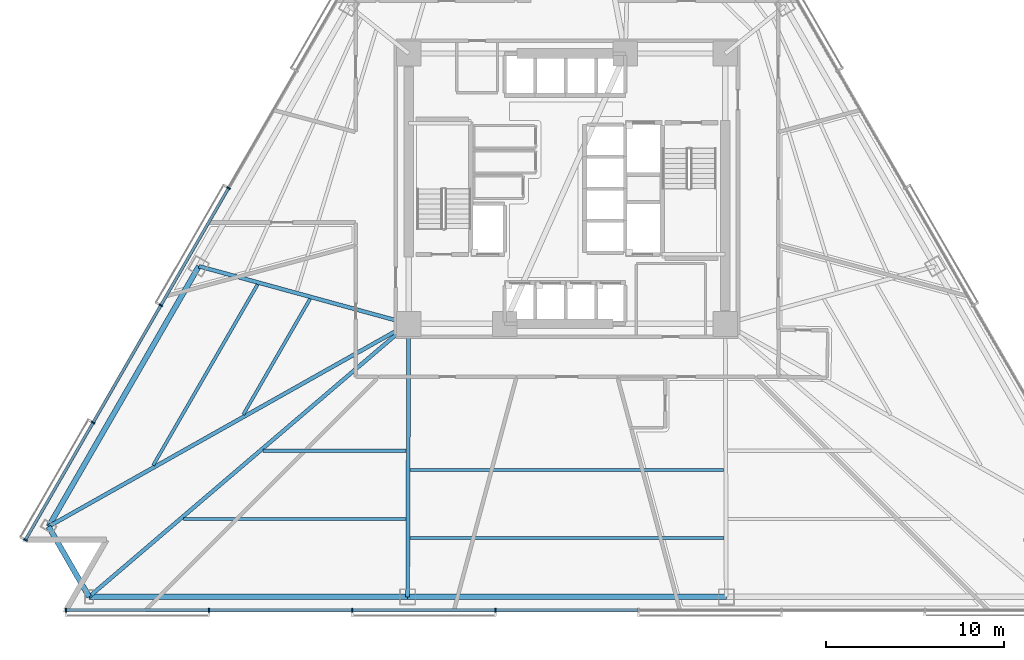
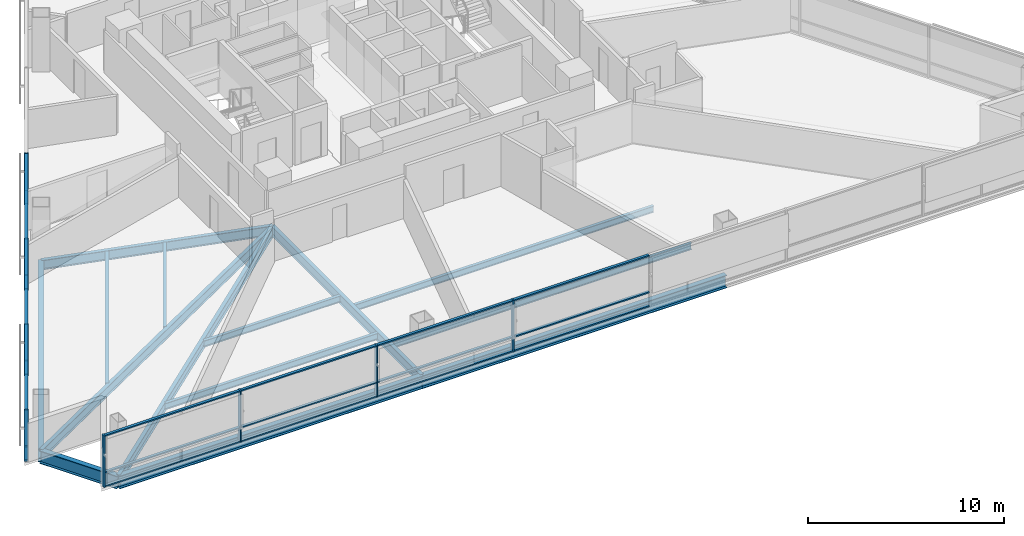
# One storey, part 2 of 16: 29 members, 14 beams, 2 elements without a shape of their own.
"""IFC4 building model written with IfcOpenShell, lengths in metres."""

import ifcopenshell
import ifcopenshell.guid

model = None  # the IFC model being written
_history = None  # IfcOwnerHistory: only IFC2X3 demands one
_inside = {}  # id of a spatial element -> (the spatial element, [elements in it])
_under = {}  # id of a project, library or spatial element -> (it, [spatial elements below it])
_declared = {}  # id of a project -> (the project, [libraries it declares])
_typed = {}  # id of a type object -> (the type object, [elements of that type])
_made_of = {}  # id of a material, layer set ... -> (it, [elements and type objects made of it])


def new_model(schema):
    """Start an empty IFC model of exactly this schema.

    Asked for "IFC4X3", IfcOpenShell would pick the latest addendum, in which some entities
    have other attributes; the version numbers below select the first issue.
    IFC2X3 requires an IfcOwnerHistory on every rooted entity: one is made here for all.
    """
    global model, _history
    if schema == "IFC4X3":
        model = ifcopenshell.file(schema_version=(4, 3, 0, 0))
    else:
        model = ifcopenshell.file(schema=schema)
    _inside.clear()
    _under.clear()
    _declared.clear()
    _typed.clear()
    _made_of.clear()
    _history = None
    if model.schema == "IFC2X3":
        org = make("IfcOrganization", Name="unknown")
        user = make(
            "IfcPersonAndOrganization",
            ThePerson=make("IfcPerson", FamilyName="unknown"),
            TheOrganization=org,
        )
        app = make(
            "IfcApplication",
            ApplicationDeveloper=org,
            Version="unknown",
            ApplicationFullName="unknown",
            ApplicationIdentifier="unknown",
        )
        _history = make(
            "IfcOwnerHistory",
            OwningUser=user,
            OwningApplication=app,
            ChangeAction="ADDED",
            CreationDate=0,
        )
    return model


def make(cls, **values):
    """One entity of the class cls with the attributes given. An attribute that is None is left unset."""
    return model.create_entity(
        cls, **{name: value for name, value in values.items() if value is not None}
    )


def rooted(cls, **values):
    """An entity with a GlobalId (a new one), such as an element, a storey or a relation."""
    return make(cls, GlobalId=ifcopenshell.guid.new(), OwnerHistory=_history, **values)


def si_unit(unit_type, name, prefix=None):
    """IfcSIUnit, for example si_unit("LENGTHUNIT", "METRE", prefix="MILLI")."""
    return make("IfcSIUnit", UnitType=unit_type, Prefix=prefix, Name=name)


def assignment(units):
    """IfcUnitAssignment: the units of a project."""
    return None if units is None else make("IfcUnitAssignment", Units=units)


def point(xyz):
    """IfcCartesianPoint."""
    return None if xyz is None else make("IfcCartesianPoint", Coordinates=xyz)


def direction(xyz):
    """IfcDirection."""
    return None if xyz is None else make("IfcDirection", DirectionRatios=xyz)


def frame(location, z_axis=None, x_axis=None):
    """IfcAxis2Placement3D, a coordinate frame: its origin and axes. An axis left out is left unset."""
    return make(
        "IfcAxis2Placement3D",
        Location=point(location),
        Axis=direction(z_axis),
        RefDirection=direction(x_axis),
    )


def frame_2d(location, x_axis=None):
    """IfcAxis2Placement2D, a coordinate frame in the plane: its origin and x axis."""
    return make(
        "IfcAxis2Placement2D", Location=point(location), RefDirection=direction(x_axis)
    )


def origin():
    """The frame at (0, 0, 0) with its axes left unset."""
    return frame((0.0, 0.0, 0.0))


def origin_2d():
    """The frame at (0, 0) in the plane with its x axis left unset."""
    return frame_2d((0.0, 0.0))


def place(relative_to, where):
    """IfcLocalPlacement: puts the frame where relative to a parent placement (None: the world)."""
    return make(
        "IfcLocalPlacement", PlacementRelTo=relative_to, RelativePlacement=where
    )


def context(
    kind, dimensions, precision=None, world=None, true_north=None, identifier=None
):
    """IfcGeometricRepresentationContext, for example the 3D "Model" context."""
    return make(
        "IfcGeometricRepresentationContext",
        ContextIdentifier=identifier,
        ContextType=kind,
        CoordinateSpaceDimension=dimensions,
        Precision=precision,
        WorldCoordinateSystem=world,
        TrueNorth=true_north,
    )


def subcontext(parent, identifier, kind, view, scale=None):
    """IfcGeometricRepresentationSubContext, for example "Body" below "Model"."""
    return make(
        "IfcGeometricRepresentationSubContext",
        ContextIdentifier=identifier,
        ContextType=kind,
        ParentContext=parent,
        TargetScale=scale,
        TargetView=view,
    )


def project(units=None, contexts=None):
    """IfcProject with its units and contexts."""
    return rooted(
        "IfcProject",
        Name="project",
        RepresentationContexts=contexts,
        UnitsInContext=assignment(units),
    )


def spatial(cls, under=None, at=None, **own):
    """A site, building, storey or space (cls), placed at a placement, below another one or the project."""
    s = rooted(cls, ObjectPlacement=at, **own)
    if under is not None:
        _under.setdefault(under.id(), (under, []))[1].append(s)
    return s


def profile(cls, at=None, kind="AREA", **sizes):
    """A parametric profile (cls). Its sizes go by their IFC names, for example OverallWidth=200.0."""
    return make(cls, ProfileType=kind, Position=at, **sizes)


def rectangle(**sizes):
    """IfcRectangleProfileDef."""
    return profile("IfcRectangleProfileDef", **sizes)


def i_section(**sizes):
    """IfcIShapeProfileDef."""
    return profile("IfcIShapeProfileDef", **sizes)


def extrude(swept, where, along, depth):
    """IfcExtrudedAreaSolid: the profile swept, set in the frame where, extruded along a direction by depth."""
    return make(
        "IfcExtrudedAreaSolid",
        SweptArea=swept,
        Position=where,
        ExtrudedDirection=direction(along),
        Depth=depth,
    )


def shape(context_of_items, identifier, shape_type, items):
    """IfcShapeRepresentation: the items that make up one representation, for example the "Body"."""
    return make(
        "IfcShapeRepresentation",
        ContextOfItems=context_of_items,
        RepresentationIdentifier=identifier,
        RepresentationType=shape_type,
        Items=items,
    )


def material(Name=None, Category=None):
    """IfcMaterial."""
    return make("IfcMaterial", Name=Name, Category=Category)


def layer(
    of_material, thickness, ventilated=None, Name=None, Category=None, Priority=None
):
    """IfcMaterialLayer: one layer of a wall or slab, of a material (None: an air gap)."""
    return make(
        "IfcMaterialLayer",
        Material=of_material,
        LayerThickness=thickness,
        IsVentilated=ventilated,
        Name=Name,
        Category=Category,
        Priority=Priority,
    )


def layer_set(layers, Name=None):
    """IfcMaterialLayerSet."""
    return make("IfcMaterialLayerSet", MaterialLayers=layers, LayerSetName=Name)


def material_profile(
    of_material, cross_section, Name=None, Category=None, Priority=None
):
    """IfcMaterialProfile: a cross section and its material."""
    return make(
        "IfcMaterialProfile",
        Name=Name,
        Material=of_material,
        Profile=cross_section,
        Priority=Priority,
        Category=Category,
    )


def profile_set(profiles, Name=None, composite=None):
    """IfcMaterialProfileSet."""
    return make(
        "IfcMaterialProfileSet",
        Name=Name,
        MaterialProfiles=profiles,
        CompositeProfile=composite,
    )


def made_of(thing, what):
    """Note that an element or type object is made of a material, layer set ...; save() writes the relation."""
    if what is not None:
        _made_of.setdefault(what.id(), (what, []))[1].append(thing)
    return thing


def type_object(cls, material=None, **own):
    """A type object (cls), such as IfcWallType, which elements share."""
    return made_of(rooted(cls, **own), material)


def element(
    cls,
    number,
    at=None,
    inside=None,
    cuts=None,
    type_object=None,
    material=None,
    context=None,
    identifier="Body",
    shape_type=None,
    held_by="IfcProductDefinitionShape",
    body=None,
    shapes=None,
    **own,
):
    """One element of the class cls, such as IfcWall. Its Tag is "e" and its number.

    at: its placement. inside: the storey or other place that contains it. cuts: it is an
    opening in that element (IfcRelVoidsElement). A single representation is given by context,
    identifier, shape_type and body (its items); several are given by shapes. held_by: the class
    of the entity that holds the representations. save() writes the other relations.
    """
    e = rooted(cls, Tag="e%d" % number, ObjectPlacement=at, **own)
    if body is not None:
        shapes = [shape(context, identifier, shape_type, body)]
    if shapes is not None:
        e.Representation = make(held_by, Representations=shapes)
    if inside is not None:
        _inside.setdefault(inside.id(), (inside, []))[1].append(e)
    if cuts is not None:
        rooted(
            "IfcRelVoidsElement", RelatingBuildingElement=cuts, RelatedOpeningElement=e
        )
    if type_object is not None:
        _typed.setdefault(type_object.id(), (type_object, []))[1].append(e)
    return made_of(e, material)


def aggregate(whole, parts):
    """IfcRelAggregates: a whole, such as a stair, and the parts it consists of."""
    return rooted("IfcRelAggregates", RelatingObject=whole, RelatedObjects=parts)


def save(model, path):
    """Write the relations noted so far, then the file.

    IfcRelAggregates (storeys below a building ...), IfcRelContainedInSpatialStructure (elements
    in a storey), IfcRelDefinesByType, IfcRelAssociatesMaterial and IfcRelDeclares: one each for
    every whole, place, type object, material and project.
    """
    for whole, parts in _under.values():
        aggregate(whole, parts)
    for where, things in _inside.values():
        rooted(
            "IfcRelContainedInSpatialStructure",
            RelatedElements=things,
            RelatingStructure=where,
        )
    for kind, things in _typed.values():
        rooted("IfcRelDefinesByType", RelatedObjects=things, RelatingType=kind)
    for what, things in _made_of.values():
        rooted("IfcRelAssociatesMaterial", RelatedObjects=things, RelatingMaterial=what)
    for by, libraries in _declared.values():
        rooted("IfcRelDeclares", RelatingContext=by, RelatedDefinitions=libraries)
    model.write(path)


model = new_model("IFC4")

# Units and contexts
model_context = context("Model", 3, precision=1e-05, world=origin(), true_north=direction((0.0, 1.0)))
body_context = subcontext(model_context, "Body", "Model", "MODEL_VIEW")
ifc_project = project(units=[si_unit("LENGTHUNIT", "METRE"), si_unit("AREAUNIT", "SQUARE_METRE"), si_unit("VOLUMEUNIT", "CUBIC_METRE"), si_unit("PLANEANGLEUNIT", "RADIAN"), si_unit("MASSUNIT", "GRAM", prefix="KILO")], contexts=[model_context])

# Site, building, storey
site_placement = place(None, origin())
site = spatial("IfcSite", under=ifc_project, at=site_placement, CompositionType="ELEMENT")
building_placement = place(site_placement, origin())
building = spatial("IfcBuilding", under=site, at=building_placement, Name="Tharavind Bronze Gate", CompositionType="ELEMENT")
storey_placement = place(building_placement, frame((0.0, 0.0, 48.85009765625)))
storey = spatial("IfcBuildingStorey", under=building, at=storey_placement, Name="L11", CompositionType="ELEMENT", Elevation=48.85009765625)

# Curtain wall, members
ifc_material_1 = material(Name="Anodised Bronze Aluminium", Category="aluminium")
ifc_layer = layer(ifc_material_1, 0.219970703125)
ifc_layer_set = layer_set([ifc_layer], Name="Anodised Bronze Aluminium")
curtain_wall_type = type_object("IfcCurtainWallType", Name="UNITISED CURTAIN WALL HOTEL", PredefinedType="USERDEFINED", material=ifc_layer_set)
curtain_wall_1_placement = place(storey_placement, origin())
curtain_wall_1 = element("IfcCurtainWall", 1, at=curtain_wall_1_placement, inside=storey, type_object=curtain_wall_type, Name="L11 unitised curtain wall hotel CW-L11-S1", ObjectType="UNITISED CURTAIN WALL", PredefinedType="USERDEFINED")
member_type_1 = type_object("IfcMemberType", Name="CURTAIN WALL MULLION 80X220", PredefinedType="MULLION", material=ifc_material_1)
member_1_placement = place(storey_placement, frame((-19.031982421875, 0.035888671875, -0.000244140625), z_axis=(0.0, 0.0, 1.0), x_axis=(-0.500001511499, -0.866024531118, 0.0)))
member_1 = element("IfcMember", 2, at=member_1_placement, type_object=member_type_1, Name="CW-L11-S1 mullion 5", PredefinedType="MULLION", context=body_context, shape_type="SweptSolid", body=[
    extrude(rectangle(XDim=0.080078125, YDim=0.219970703125, at=origin_2d()), origin(), (0.0, 0.0, 1.0), 3.22509765625),
])
member_2_placement = place(storey_placement, frame((-22.83984375, -6.559814453125, -0.000244140625), z_axis=(0.0, 0.0, 1.0), x_axis=(-0.500001511499, -0.866024531118, 0.0)))
member_2 = element("IfcMember", 3, at=member_2_placement, type_object=member_type_1, Name="CW-L11-S1 mullion 6", PredefinedType="MULLION", context=body_context, shape_type="SweptSolid", body=[
    extrude(rectangle(XDim=0.080078125, YDim=0.219970703125, at=origin_2d()), origin(), (0.0, 0.0, 1.0), 3.22509765625),
])
member_3_placement = place(storey_placement, frame((-26.647705078125, -13.1552734375, -0.000244140625), z_axis=(0.0, 0.0, 1.0), x_axis=(-0.500001511499, -0.866024531118, 0.0)))
member_3 = element("IfcMember", 4, at=member_3_placement, type_object=member_type_1, Name="CW-L11-S1 mullion 7", PredefinedType="MULLION", context=body_context, shape_type="SweptSolid", body=[
    extrude(rectangle(XDim=0.080078125, YDim=0.219970703125, at=origin_2d()), origin(), (0.0, 0.0, 1.0), 3.22509765625),
])
member_4_placement = place(storey_placement, frame((-30.455810546875, -19.7509765625, -0.000244140625), z_axis=(0.0, 0.0, 1.0), x_axis=(-0.500001511499, -0.866024531118, 0.0)))
member_4 = element("IfcMember", 5, at=member_4_placement, type_object=member_type_1, Name="CW-L11-S1 mullion 8", PredefinedType="MULLION", context=body_context, shape_type="SweptSolid", body=[
    extrude(rectangle(XDim=0.080078125, YDim=0.219970703125, at=origin_2d()), origin(), (0.0, 0.0, 1.0), 3.22509765625),
])

curtain_wall_2_placement = place(storey_placement, origin())
curtain_wall_2 = element("IfcCurtainWall", 6, at=curtain_wall_2_placement, inside=storey, type_object=curtain_wall_type, Name="L11 unitised curtain wall hotel CW-L11-S2", ObjectType="UNITISED CURTAIN WALL", PredefinedType="USERDEFINED")
member_5_placement = place(storey_placement, frame((-28.17578125, -23.699951171875, -0.000244140625), z_axis=(0.0, 0.0, 1.0), x_axis=(1.0, 0.0, 0.0)))
member_5 = element("IfcMember", 7, at=member_5_placement, type_object=member_type_1, Name="CW-L11-S2 mullion 1", PredefinedType="MULLION", context=body_context, shape_type="SweptSolid", body=[
    extrude(rectangle(XDim=0.080078125, YDim=0.219970703125, at=origin_2d()), origin(), (0.0, 0.0, 1.0), 3.22509765625),
])
member_6_placement = place(storey_placement, frame((-20.12548828125, -23.699951171875, -0.000244140625), z_axis=(0.0, 0.0, 1.0), x_axis=(1.0, 0.0, 0.0)))
member_6 = element("IfcMember", 8, at=member_6_placement, type_object=member_type_1, Name="CW-L11-S2 mullion 2", PredefinedType="MULLION", context=body_context, shape_type="SweptSolid", body=[
    extrude(rectangle(XDim=0.080078125, YDim=0.219970703125, at=origin_2d()), origin(), (0.0, 0.0, 1.0), 3.22509765625),
])
member_7_placement = place(storey_placement, frame((-12.0751953125, -23.699951171875, -0.000244140625), z_axis=(0.0, 0.0, 1.0), x_axis=(1.0, 0.0, 0.0)))
member_7 = element("IfcMember", 9, at=member_7_placement, type_object=member_type_1, Name="CW-L11-S2 mullion 3", PredefinedType="MULLION", context=body_context, shape_type="SweptSolid", body=[
    extrude(rectangle(XDim=0.080078125, YDim=0.219970703125, at=origin_2d()), origin(), (0.0, 0.0, 1.0), 3.22509765625),
])
member_8_placement = place(storey_placement, frame((-4.025146484375, -23.699951171875, -0.000244140625), z_axis=(0.0, 0.0, 1.0), x_axis=(1.0, 0.0, 0.0)))
member_8 = element("IfcMember", 10, at=member_8_placement, type_object=member_type_1, Name="CW-L11-S2 mullion 4", PredefinedType="MULLION", context=body_context, shape_type="SweptSolid", body=[
    extrude(rectangle(XDim=0.080078125, YDim=0.219970703125, at=origin_2d()), origin(), (0.0, 0.0, 1.0), 3.22509765625),
])

# Member
member_type_2 = type_object("IfcMemberType", Name="CURTAIN WALL TRANSOM 80X160", PredefinedType="USERDEFINED", material=ifc_material_1)
member_9_placement = place(storey_placement, frame((-20.935791015625, -3.261962890625, -0.000244140625), z_axis=(0.0, 0.0, 1.0), x_axis=(-0.500001511499, -0.866024531118, 0.0)))
member_9 = element("IfcMember", 11, at=member_9_placement, type_object=member_type_2, Name="CW-L11-S1 transom TB5", ObjectType="TRANSOM", PredefinedType="USERDEFINED", context=body_context, shape_type="SweptSolid", body=[
    extrude(rectangle(XDim=7.5478515625, YDim=0.159912109375, at=origin_2d()), origin(), (0.0, 0.0, 1.0), 0.080078125),
])

member_10_placement = place(storey_placement, frame((-20.935791015625, -3.261962890625, 0.85986328125), z_axis=(0.0, 0.0, 1.0), x_axis=(-0.500001511499, -0.866024531118, 0.0)))
member_10 = element("IfcMember", 12, at=member_10_placement, type_object=member_type_2, Name="CW-L11-S1 transom TS5", ObjectType="TRANSOM", PredefinedType="USERDEFINED", context=body_context, shape_type="SweptSolid", body=[
    extrude(rectangle(XDim=7.5478515625, YDim=0.159912109375, at=origin_2d()), origin(), (0.0, 0.0, 1.0), 0.080078125),
])

member_11_placement = place(storey_placement, frame((-20.935791015625, -3.261962890625, 3.144775390625), z_axis=(0.0, 0.0, 1.0), x_axis=(-0.500001511499, -0.866024531118, 0.0)))
member_11 = element("IfcMember", 13, at=member_11_placement, type_object=member_type_2, Name="CW-L11-S1 transom TT5", ObjectType="TRANSOM", PredefinedType="USERDEFINED", context=body_context, shape_type="SweptSolid", body=[
    extrude(rectangle(XDim=7.5478515625, YDim=0.159912109375, at=origin_2d()), origin(), (0.0, 0.0, 1.0), 0.080078125),
])

member_12_placement = place(storey_placement, frame((-24.743896484375, -9.857421875, -0.000244140625), z_axis=(0.0, 0.0, 1.0), x_axis=(-0.500001511499, -0.866024531118, 0.0)))
member_12 = element("IfcMember", 14, at=member_12_placement, type_object=member_type_2, Name="CW-L11-S1 transom TB6", ObjectType="TRANSOM", PredefinedType="USERDEFINED", context=body_context, shape_type="SweptSolid", body=[
    extrude(rectangle(XDim=7.5478515625, YDim=0.159912109375, at=origin_2d()), origin(), (0.0, 0.0, 1.0), 0.080078125),
])

member_13_placement = place(storey_placement, frame((-24.743896484375, -9.857421875, 0.85986328125), z_axis=(0.0, 0.0, 1.0), x_axis=(-0.500001511499, -0.866024531118, 0.0)))
member_13 = element("IfcMember", 15, at=member_13_placement, type_object=member_type_2, Name="CW-L11-S1 transom TS6", ObjectType="TRANSOM", PredefinedType="USERDEFINED", context=body_context, shape_type="SweptSolid", body=[
    extrude(rectangle(XDim=7.5478515625, YDim=0.159912109375, at=origin_2d()), origin(), (0.0, 0.0, 1.0), 0.080078125),
])

member_14_placement = place(storey_placement, frame((-24.743896484375, -9.857421875, 3.144775390625), z_axis=(0.0, 0.0, 1.0), x_axis=(-0.500001511499, -0.866024531118, 0.0)))
member_14 = element("IfcMember", 16, at=member_14_placement, type_object=member_type_2, Name="CW-L11-S1 transom TT6", ObjectType="TRANSOM", PredefinedType="USERDEFINED", context=body_context, shape_type="SweptSolid", body=[
    extrude(rectangle(XDim=7.5478515625, YDim=0.159912109375, at=origin_2d()), origin(), (0.0, 0.0, 1.0), 0.080078125),
])

member_15_placement = place(storey_placement, frame((-28.5517578125, -16.453125, -0.000244140625), z_axis=(0.0, 0.0, 1.0), x_axis=(-0.500001511499, -0.866024531118, 0.0)))
member_15 = element("IfcMember", 17, at=member_15_placement, type_object=member_type_2, Name="CW-L11-S1 transom TB7", ObjectType="TRANSOM", PredefinedType="USERDEFINED", context=body_context, shape_type="SweptSolid", body=[
    extrude(rectangle(XDim=7.5478515625, YDim=0.159912109375, at=origin_2d()), origin(), (0.0, 0.0, 1.0), 0.080078125),
])

member_16_placement = place(storey_placement, frame((-28.5517578125, -16.453125, 0.85986328125), z_axis=(0.0, 0.0, 1.0), x_axis=(-0.500001511499, -0.866024531118, 0.0)))
member_16 = element("IfcMember", 18, at=member_16_placement, type_object=member_type_2, Name="CW-L11-S1 transom TS7", ObjectType="TRANSOM", PredefinedType="USERDEFINED", context=body_context, shape_type="SweptSolid", body=[
    extrude(rectangle(XDim=7.5478515625, YDim=0.159912109375, at=origin_2d()), origin(), (0.0, 0.0, 1.0), 0.080078125),
])

member_17_placement = place(storey_placement, frame((-28.5517578125, -16.453125, 3.144775390625), z_axis=(0.0, 0.0, 1.0), x_axis=(-0.500001511499, -0.866024531118, 0.0)))
member_17 = element("IfcMember", 19, at=member_17_placement, type_object=member_type_2, Name="CW-L11-S1 transom TT7", ObjectType="TRANSOM", PredefinedType="USERDEFINED", context=body_context, shape_type="SweptSolid", body=[
    extrude(rectangle(XDim=7.5478515625, YDim=0.159912109375, at=origin_2d()), origin(), (0.0, 0.0, 1.0), 0.080078125),
])

aggregate(curtain_wall_1, [member_1, member_2, member_3, member_4, member_9, member_10, member_11, member_12, member_13, member_14, member_15, member_16, member_17])

member_18_placement = place(storey_placement, frame((-24.150634765625, -23.699951171875, -0.000244140625), z_axis=(0.0, 0.0, 1.0), x_axis=(1.0, 0.0, 0.0)))
member_18 = element("IfcMember", 20, at=member_18_placement, type_object=member_type_2, Name="CW-L11-S2 transom TB1", ObjectType="TRANSOM", PredefinedType="USERDEFINED", context=body_context, shape_type="SweptSolid", body=[
    extrude(rectangle(XDim=7.982177734375, YDim=0.159912109375, at=origin_2d()), origin(), (0.0, 0.0, 1.0), 0.080078125),
])

member_19_placement = place(storey_placement, frame((-24.150634765625, -23.699951171875, 0.85986328125), z_axis=(0.0, 0.0, 1.0), x_axis=(1.0, 0.0, 0.0)))
member_19 = element("IfcMember", 21, at=member_19_placement, type_object=member_type_2, Name="CW-L11-S2 transom TS1", ObjectType="TRANSOM", PredefinedType="USERDEFINED", context=body_context, shape_type="SweptSolid", body=[
    extrude(rectangle(XDim=7.982177734375, YDim=0.159912109375, at=origin_2d()), origin(), (0.0, 0.0, 1.0), 0.080078125),
])

member_20_placement = place(storey_placement, frame((-24.150634765625, -23.699951171875, 3.144775390625), z_axis=(0.0, 0.0, 1.0), x_axis=(1.0, 0.0, 0.0)))
member_20 = element("IfcMember", 22, at=member_20_placement, type_object=member_type_2, Name="CW-L11-S2 transom TT1", ObjectType="TRANSOM", PredefinedType="USERDEFINED", context=body_context, shape_type="SweptSolid", body=[
    extrude(rectangle(XDim=7.982177734375, YDim=0.159912109375, at=origin_2d()), origin(), (0.0, 0.0, 1.0), 0.080078125),
])

member_21_placement = place(storey_placement, frame((-16.1005859375, -23.699951171875, -0.000244140625), z_axis=(0.0, 0.0, 1.0), x_axis=(1.0, 0.0, 0.0)))
member_21 = element("IfcMember", 23, at=member_21_placement, type_object=member_type_2, Name="CW-L11-S2 transom TB2", ObjectType="TRANSOM", PredefinedType="USERDEFINED", context=body_context, shape_type="SweptSolid", body=[
    extrude(rectangle(XDim=7.982177734375, YDim=0.159912109375, at=origin_2d()), origin(), (0.0, 0.0, 1.0), 0.080078125),
])

member_22_placement = place(storey_placement, frame((-16.1005859375, -23.699951171875, 0.85986328125), z_axis=(0.0, 0.0, 1.0), x_axis=(1.0, 0.0, 0.0)))
member_22 = element("IfcMember", 24, at=member_22_placement, type_object=member_type_2, Name="CW-L11-S2 transom TS2", ObjectType="TRANSOM", PredefinedType="USERDEFINED", context=body_context, shape_type="SweptSolid", body=[
    extrude(rectangle(XDim=7.982177734375, YDim=0.159912109375, at=origin_2d()), origin(), (0.0, 0.0, 1.0), 0.080078125),
])

member_23_placement = place(storey_placement, frame((-16.1005859375, -23.699951171875, 3.144775390625), z_axis=(0.0, 0.0, 1.0), x_axis=(1.0, 0.0, 0.0)))
member_23 = element("IfcMember", 25, at=member_23_placement, type_object=member_type_2, Name="CW-L11-S2 transom TT2", ObjectType="TRANSOM", PredefinedType="USERDEFINED", context=body_context, shape_type="SweptSolid", body=[
    extrude(rectangle(XDim=7.982177734375, YDim=0.159912109375, at=origin_2d()), origin(), (0.0, 0.0, 1.0), 0.080078125),
])

member_24_placement = place(storey_placement, frame((-8.05029296875, -23.699951171875, -0.000244140625), z_axis=(0.0, 0.0, 1.0), x_axis=(1.0, 0.0, 0.0)))
member_24 = element("IfcMember", 26, at=member_24_placement, type_object=member_type_2, Name="CW-L11-S2 transom TB3", ObjectType="TRANSOM", PredefinedType="USERDEFINED", context=body_context, shape_type="SweptSolid", body=[
    extrude(rectangle(XDim=7.982177734375, YDim=0.159912109375, at=origin_2d()), origin(), (0.0, 0.0, 1.0), 0.080078125),
])

member_25_placement = place(storey_placement, frame((-8.05029296875, -23.699951171875, 0.85986328125), z_axis=(0.0, 0.0, 1.0), x_axis=(1.0, 0.0, 0.0)))
member_25 = element("IfcMember", 27, at=member_25_placement, type_object=member_type_2, Name="CW-L11-S2 transom TS3", ObjectType="TRANSOM", PredefinedType="USERDEFINED", context=body_context, shape_type="SweptSolid", body=[
    extrude(rectangle(XDim=7.982177734375, YDim=0.159912109375, at=origin_2d()), origin(), (0.0, 0.0, 1.0), 0.080078125),
])

member_26_placement = place(storey_placement, frame((-8.05029296875, -23.699951171875, 3.144775390625), z_axis=(0.0, 0.0, 1.0), x_axis=(1.0, 0.0, 0.0)))
member_26 = element("IfcMember", 28, at=member_26_placement, type_object=member_type_2, Name="CW-L11-S2 transom TT3", ObjectType="TRANSOM", PredefinedType="USERDEFINED", context=body_context, shape_type="SweptSolid", body=[
    extrude(rectangle(XDim=7.982177734375, YDim=0.159912109375, at=origin_2d()), origin(), (0.0, 0.0, 1.0), 0.080078125),
])

member_27_placement = place(storey_placement, frame((0.0, -23.699951171875, -0.000244140625), z_axis=(0.0, 0.0, 1.0), x_axis=(1.0, 0.0, 0.0)))
member_27 = element("IfcMember", 29, at=member_27_placement, type_object=member_type_2, Name="CW-L11-S2 transom TB4", ObjectType="TRANSOM", PredefinedType="USERDEFINED", context=body_context, shape_type="SweptSolid", body=[
    extrude(rectangle(XDim=7.982177734375, YDim=0.159912109375, at=origin_2d()), origin(), (0.0, 0.0, 1.0), 0.080078125),
])

member_28_placement = place(storey_placement, frame((0.0, -23.699951171875, 0.85986328125), z_axis=(0.0, 0.0, 1.0), x_axis=(1.0, 0.0, 0.0)))
member_28 = element("IfcMember", 30, at=member_28_placement, type_object=member_type_2, Name="CW-L11-S2 transom TS4", ObjectType="TRANSOM", PredefinedType="USERDEFINED", context=body_context, shape_type="SweptSolid", body=[
    extrude(rectangle(XDim=7.982177734375, YDim=0.159912109375, at=origin_2d()), origin(), (0.0, 0.0, 1.0), 0.080078125),
])

member_29_placement = place(storey_placement, frame((0.0, -23.699951171875, 3.144775390625), z_axis=(0.0, 0.0, 1.0), x_axis=(1.0, 0.0, 0.0)))
member_29 = element("IfcMember", 31, at=member_29_placement, type_object=member_type_2, Name="CW-L11-S2 transom TT4", ObjectType="TRANSOM", PredefinedType="USERDEFINED", context=body_context, shape_type="SweptSolid", body=[
    extrude(rectangle(XDim=7.982177734375, YDim=0.159912109375, at=origin_2d()), origin(), (0.0, 0.0, 1.0), 0.080078125),
])

aggregate(curtain_wall_2, [member_5, member_6, member_7, member_8, member_18, member_19, member_20, member_21, member_22, member_23, member_24, member_25, member_26, member_27, member_28, member_29])

# Beams
ifc_material_2 = material(Name="Steel S355", Category="steel")
ifc_material_profile_1 = material_profile(ifc_material_2, i_section(OverallWidth=0.219970703125, OverallDepth=0.60009765625, WebThickness=0.011962890625, FlangeThickness=0.01904296875, at=origin_2d()), Name="IPE600")
ifc_profile_set_1 = profile_set([ifc_material_profile_1], Name="Steel S355")
beam_type_1 = type_object("IfcBeamType", Name="PRIMARY GIRDER IPE600", PredefinedType="USERDEFINED", material=ifc_profile_set_1)
beam_1_placement = place(storey_placement, frame((-20.70458984375, -4.361083984375, -0.47509765625), z_axis=(0.96435718827, -0.264603880228, 0.0), x_axis=(0.264603880228, 0.96435718827, 0.0)))
element("IfcBeam", 32, at=beam_1_placement, inside=storey, type_object=beam_type_1, Name="L11 primary girder ipe600 BM-L11-RAD03", ObjectType="GIRDER", PredefinedType="USERDEFINED", context=body_context, shape_type="SweptSolid", body=[
    extrude(i_section(OverallWidth=0.219970703125, OverallDepth=0.60009765625, WebThickness=0.011962890625, FlangeThickness=0.01904296875, at=origin_2d()), origin(), (0.0, 0.0, 1.0), 12.240966796875),
])
beam_2_placement = place(storey_placement, frame((-29.15673828125, -19.0009765625, -0.47509765625), z_axis=(0.871457703454, 0.490470662824, 0.0), x_axis=(-0.490470662824, 0.871457703454, 0.0)))
element("IfcBeam", 33, at=beam_2_placement, inside=storey, type_object=beam_type_1, Name="L11 primary girder ipe600 BM-L11-RAD04", ObjectType="GIRDER", PredefinedType="USERDEFINED", context=body_context, shape_type="SweptSolid", body=[
    extrude(i_section(OverallWidth=0.219970703125, OverallDepth=0.60009765625, WebThickness=0.011962890625, FlangeThickness=0.01904296875, at=origin_2d()), origin(), (0.0, 0.0, 1.0), 23.244873046875),
])
beam_3_placement = place(storey_placement, frame((-26.876708984375, -22.949951171875, -0.47509765625), z_axis=(0.76048513475, 0.649355341723, 0.0), x_axis=(-0.649355341723, 0.76048513475, 0.0)))
element("IfcBeam", 34, at=beam_3_placement, inside=storey, type_object=beam_type_1, Name="L11 primary girder ipe600 BM-L11-RAD05", ObjectType="GIRDER", PredefinedType="USERDEFINED", context=body_context, shape_type="SweptSolid", body=[
    extrude(i_section(OverallWidth=0.219970703125, OverallDepth=0.60009765625, WebThickness=0.011962890625, FlangeThickness=0.01904296875, at=origin_2d()), origin(), (0.0, 0.0, 1.0), 23.638671875),
])
beam_4_placement = place(storey_placement, frame((-8.958984375, -22.949951171875, -0.47509765625), z_axis=(0.003849000484, 0.99999259257, 0.0), x_axis=(-0.99999259257, 0.003849000484, 0.0)))
element("IfcBeam", 35, at=beam_4_placement, inside=storey, type_object=beam_type_1, Name="L11 primary girder ipe600 BM-L11-RAD06", ObjectType="GIRDER", PredefinedType="USERDEFINED", context=body_context, shape_type="SweptSolid", body=[
    extrude(i_section(OverallWidth=0.219970703125, OverallDepth=0.60009765625, WebThickness=0.011962890625, FlangeThickness=0.01904296875, at=origin_2d()), origin(), (0.0, 0.0, 1.0), 15.349853515625),
])
ifc_material_profile_2 = material_profile(ifc_material_2, i_section(OverallWidth=0.300048828125, OverallDepth=0.800048828125, WebThickness=0.017578125, FlangeThickness=0.032958984375, at=origin_2d()), Name="HE800B")
ifc_profile_set_2 = profile_set([ifc_material_profile_2], Name="Steel S355")
beam_type_2 = type_object("IfcBeamType", Name="RING GIRDER HE800B", PredefinedType="USERDEFINED", material=ifc_profile_set_2)
beam_5_placement = place(storey_placement, frame((-20.70458984375, -4.361083984375, -0.5751953125), z_axis=(-0.4999912383, -0.866030462295, 0.0), x_axis=(0.866030462295, -0.4999912383, 0.0)))
element("IfcBeam", 36, at=beam_5_placement, inside=storey, type_object=beam_type_2, Name="L11 ring girder he800b BM-L11-PRG03", ObjectType="GIRDER", PredefinedType="USERDEFINED", context=body_context, shape_type="SweptSolid", body=[
    extrude(i_section(OverallWidth=0.300048828125, OverallDepth=0.800048828125, WebThickness=0.017578125, FlangeThickness=0.032958984375, at=origin_2d()), origin(), (0.0, 0.0, 1.0), 16.904541015625),
])
beam_6_placement = place(storey_placement, frame((-29.15673828125, -19.0009765625, -0.5751953125), z_axis=(0.500014431597, -0.866017071537, 0.0), x_axis=(0.866017071537, 0.500014431597, 0.0)))
element("IfcBeam", 37, at=beam_6_placement, inside=storey, type_object=beam_type_2, Name="L11 ring girder he800b BM-L11-PRG04", ObjectType="GIRDER", PredefinedType="USERDEFINED", context=body_context, shape_type="SweptSolid", body=[
    extrude(i_section(OverallWidth=0.300048828125, OverallDepth=0.800048828125, WebThickness=0.017578125, FlangeThickness=0.032958984375, at=origin_2d()), origin(), (0.0, 0.0, 1.0), 4.559814453125),
])
beam_7_placement = place(storey_placement, frame((-26.876708984375, -22.949951171875, -0.5751953125), z_axis=(1.0, 0.0, 0.0), x_axis=(0.0, 1.0, 0.0)))
element("IfcBeam", 38, at=beam_7_placement, inside=storey, type_object=beam_type_2, Name="L11 ring girder he800b BM-L11-PRG05", ObjectType="GIRDER", PredefinedType="USERDEFINED", context=body_context, shape_type="SweptSolid", body=[
    extrude(i_section(OverallWidth=0.300048828125, OverallDepth=0.800048828125, WebThickness=0.017578125, FlangeThickness=0.032958984375, at=origin_2d()), origin(), (0.0, 0.0, 1.0), 17.917724609375),
])
beam_8_placement = place(storey_placement, frame((-8.958984375, -22.949951171875, -0.5751953125), z_axis=(1.0, 0.0, 0.0), x_axis=(0.0, 1.0, 0.0)))
element("IfcBeam", 39, at=beam_8_placement, inside=storey, type_object=beam_type_2, Name="L11 ring girder he800b BM-L11-PRG06", ObjectType="GIRDER", PredefinedType="USERDEFINED", context=body_context, shape_type="SweptSolid", body=[
    extrude(i_section(OverallWidth=0.300048828125, OverallDepth=0.800048828125, WebThickness=0.017578125, FlangeThickness=0.032958984375, at=origin_2d()), origin(), (0.0, 0.0, 1.0), 17.91796875),
])
ifc_material_profile_3 = material_profile(ifc_material_2, i_section(OverallWidth=0.179931640625, OverallDepth=0.39990234375, WebThickness=0.008544921875, FlangeThickness=0.013427734375, at=origin_2d()), Name="IPE400")
ifc_profile_set_3 = profile_set([ifc_material_profile_3], Name="Steel S355")
beam_type_3 = type_object("IfcBeamType", Name="SECONDARY FLOOR JOIST IPE400", PredefinedType="JOIST", material=ifc_profile_set_3)
beam_9_placement = place(storey_placement, frame((-14.447998046875, -6.19580078125, -0.375), z_axis=(-0.499995879736, -0.866027782607, 0.0), x_axis=(0.866027782607, -0.499995879736, 0.0)))
element("IfcBeam", 40, at=beam_9_placement, inside=storey, type_object=beam_type_3, Name="L11 secondary floor joist ipe400 BM-L11-JSTA03", PredefinedType="JOIST", context=body_context, shape_type="SweptSolid", body=[
    extrude(i_section(OverallWidth=0.179931640625, OverallDepth=0.39990234375, WebThickness=0.008544921875, FlangeThickness=0.013427734375, at=origin_2d()), origin(), (0.0, 0.0, 1.0), 7.52294921875),
])
beam_10_placement = place(storey_placement, frame((-17.399169921875, -5.38623046875, -0.375), z_axis=(-0.499996459651, -0.866027447796, 0.0), x_axis=(0.866027447796, -0.499996459651, 0.0)))
element("IfcBeam", 41, at=beam_10_placement, inside=storey, type_object=beam_type_3, Name="L11 secondary floor joist ipe400 BM-L11-JSTB03", PredefinedType="JOIST", context=body_context, shape_type="SweptSolid", body=[
    extrude(i_section(OverallWidth=0.179931640625, OverallDepth=0.39990234375, WebThickness=0.008544921875, FlangeThickness=0.013427734375, at=origin_2d()), origin(), (0.0, 0.0, 1.0), 11.7490234375),
])
beam_11_placement = place(storey_placement, frame((-17.085693359375, -14.73779296875, -0.375), z_axis=(1.0, 0.0, 0.0), x_axis=(0.0, 1.0, 0.0)))
element("IfcBeam", 42, at=beam_11_placement, inside=storey, type_object=beam_type_3, Name="L11 secondary floor joist ipe400 BM-L11-JSTA05", PredefinedType="JOIST", context=body_context, shape_type="SweptSolid", body=[
    extrude(i_section(OverallWidth=0.179931640625, OverallDepth=0.39990234375, WebThickness=0.008544921875, FlangeThickness=0.013427734375, at=origin_2d()), origin(), (0.0, 0.0, 1.0), 8.044189453125),
])
beam_12_placement = place(storey_placement, frame((-21.580078125, -18.5751953125, -0.375), z_axis=(1.0, 0.0, 0.0), x_axis=(0.0, 1.0, 0.0)))
element("IfcBeam", 43, at=beam_12_placement, inside=storey, type_object=beam_type_3, Name="L11 secondary floor joist ipe400 BM-L11-JSTB05", PredefinedType="JOIST", context=body_context, shape_type="SweptSolid", body=[
    extrude(i_section(OverallWidth=0.179931640625, OverallDepth=0.39990234375, WebThickness=0.008544921875, FlangeThickness=0.013427734375, at=origin_2d()), origin(), (0.0, 0.0, 1.0), 12.52392578125),
])
beam_13_placement = place(storey_placement, frame((-8.8173828125, -15.812255859375, -0.375), z_axis=(1.0, 0.0, 0.0), x_axis=(0.0, 1.0, 0.0)))
element("IfcBeam", 44, at=beam_13_placement, inside=storey, type_object=beam_type_3, Name="L11 secondary floor joist ipe400 BM-L11-JSTA06", PredefinedType="JOIST", context=body_context, shape_type="SweptSolid", body=[
    extrude(i_section(OverallWidth=0.179931640625, OverallDepth=0.39990234375, WebThickness=0.008544921875, FlangeThickness=0.013427734375, at=origin_2d()), origin(), (0.0, 0.0, 1.0), 17.634765625),
])
beam_14_placement = place(storey_placement, frame((-8.832275390625, -19.64990234375, -0.375), z_axis=(1.0, 0.0, 0.0), x_axis=(0.0, 1.0, 0.0)))
element("IfcBeam", 45, at=beam_14_placement, inside=storey, type_object=beam_type_3, Name="L11 secondary floor joist ipe400 BM-L11-JSTB06", PredefinedType="JOIST", context=body_context, shape_type="SweptSolid", body=[
    extrude(i_section(OverallWidth=0.179931640625, OverallDepth=0.39990234375, WebThickness=0.008544921875, FlangeThickness=0.013427734375, at=origin_2d()), origin(), (0.0, 0.0, 1.0), 17.66455078125),
])

save(model, "model.ifc")
